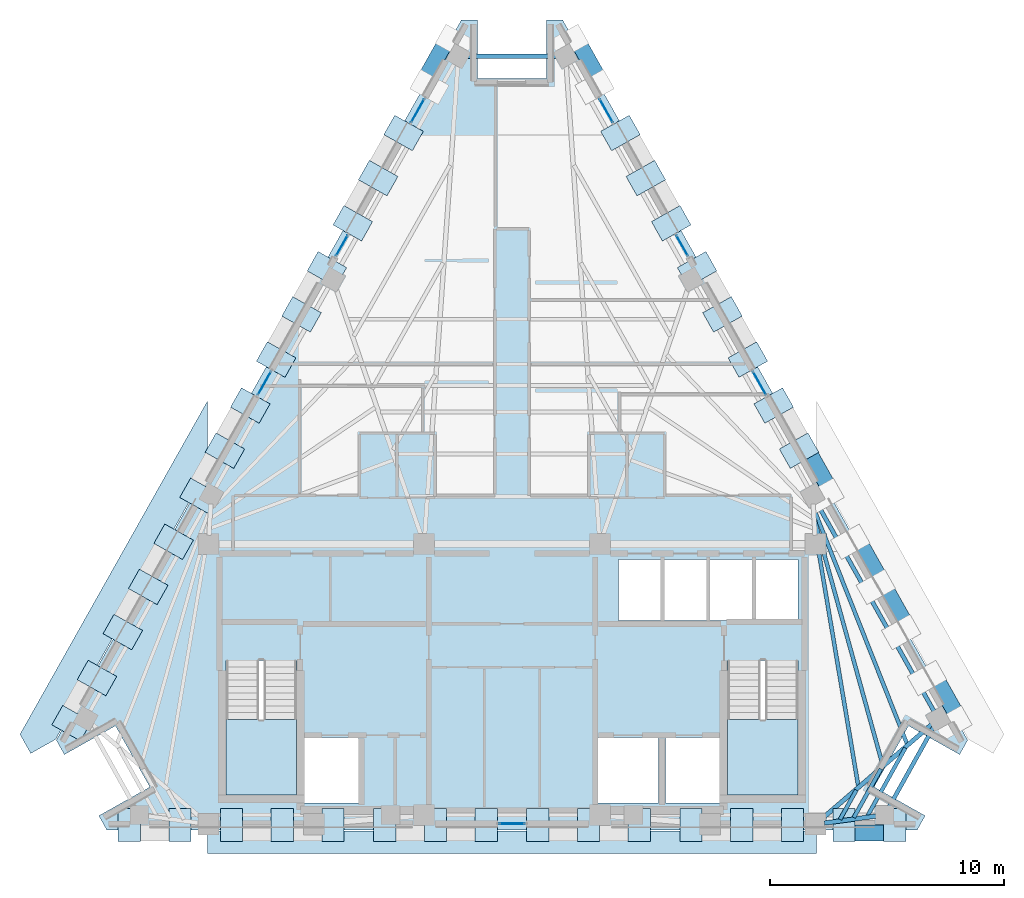
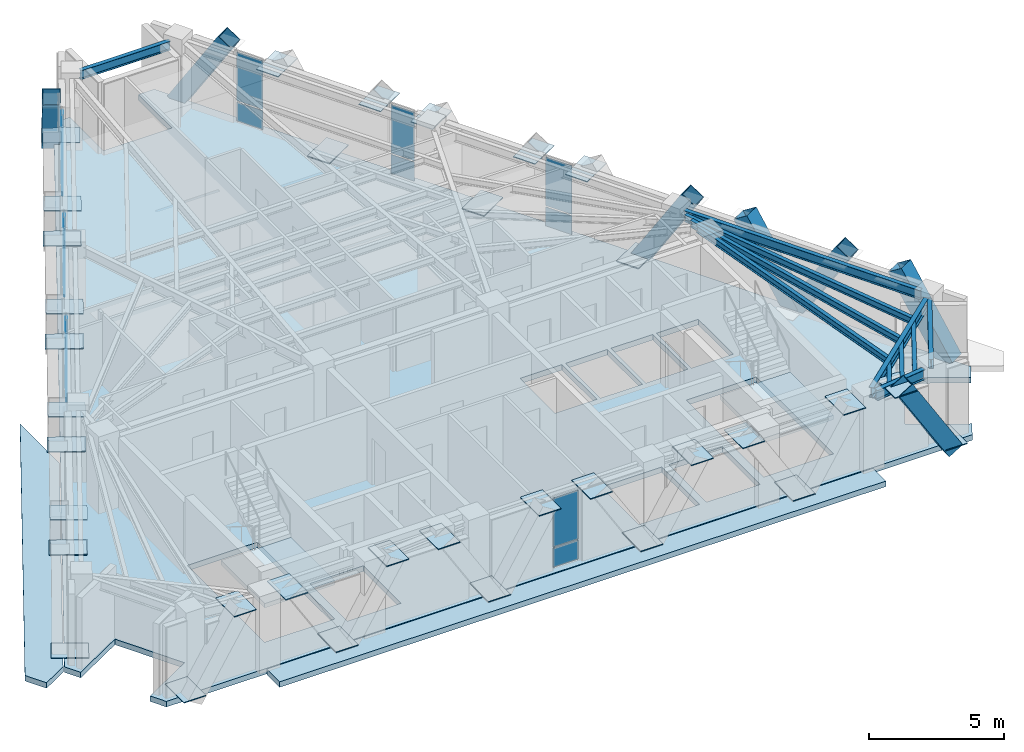
# One storey, part 4 of 9: 52 plates, 11 beams, 7 members, 5 slabs, 9 elements without a shape of their own.
"""IFC4 building model written with IfcOpenShell, lengths in metres."""

from ifc_helpers import new_model, si_unit, direction, frame, origin, origin_2d, place, context, subcontext, project, spatial, polyline, rectangle, hollow_rectangle, i_section, outline, extrude, material, layer, layer_set, material_profile, profile_set, type_object, element, aggregate, save


model = new_model("IFC4")

# Units and contexts
model_context = context("Model", 3, precision=1e-05, world=origin(), true_north=direction((0.0, 1.0)))
body_context = subcontext(model_context, "Body", "Model", "MODEL_VIEW")
ifc_project = project(units=[si_unit("LENGTHUNIT", "METRE"), si_unit("AREAUNIT", "SQUARE_METRE"), si_unit("VOLUMEUNIT", "CUBIC_METRE"), si_unit("PLANEANGLEUNIT", "RADIAN"), si_unit("MASSUNIT", "GRAM", prefix="KILO")], contexts=[model_context])

# Site, building, storey
site_placement = place(None, origin())
site = spatial("IfcSite", under=ifc_project, at=site_placement, CompositionType="ELEMENT")
building_placement = place(site_placement, origin())
building = spatial("IfcBuilding", under=site, at=building_placement, Name="Quenlor Broadcast Tower", CompositionType="ELEMENT")
storey_placement = place(building_placement, frame((0.0, 0.0, 228.89990234375)))
storey = spatial("IfcBuildingStorey", under=building, at=storey_placement, Name="L63", CompositionType="ELEMENT", Elevation=228.89990234375)

# Members
ifc_material_1 = material(Name="Steel S355", Category="steel")
ifc_material_profile_1 = material_profile(ifc_material_1, hollow_rectangle(XDim=0.679931640625, YDim=0.679931640625, WallThickness=0.02001953125, at=origin_2d()))
ifc_profile_set_1 = profile_set([ifc_material_profile_1], Name="Steel S355 RHS680x680x20")
member_type = type_object("IfcMemberType", Name="Perimeter Diagonal Lattice Brace Z5-Crown Steel S355 RHS680x20", PredefinedType="BRACE", material=ifc_profile_set_1)
member_placement = place(storey_placement, frame((16.31689453125, -17.1201171875, -0.119873046875), z_axis=(-0.523616565236, 0.0, 0.85195404372), x_axis=(0.0, -1.0, 0.0)))
element("IfcMember", 1, at=member_placement, inside=storey, type_object=member_type, Name="L63 Perimeter Diamond Lattice S-C1S", PredefinedType="BRACE", context=body_context, shape_type="SweptSolid", body=[
    extrude(hollow_rectangle(XDim=0.679931640625, YDim=0.679931640625, WallThickness=0.02001953125, at=origin_2d()), origin(), (0.0, 0.0, 1.0), 4.108154296875),
])
for number, where, z_axis, x_axis, name in (
    (2, (2.73681640625, 16.779296875, -0.119873046875), (0.260618804175, -0.463276364439, 0.847025884529), (0.8715547569, 0.490298180422, 0.0), "L63 Perimeter Diamond Lattice NE-C1S"),
    (3, (12.5458984375, -0.6591796875, -0.119873046875), (0.260618804175, -0.463276364439, 0.847025884529), (0.8715547569, 0.490298180422, 0.0), "L63 Perimeter Diamond Lattice NE-C4S"),
    (4, (15.802490234375, -6.44873046875, -0.119873046875), (-0.260563732169, 0.463283497491, 0.847038926161), (-0.871602253711, -0.49021374045, 0.0), "L63 Perimeter Diamond Lattice NE-C4B"),
    (5, (15.815673828125, -6.471923828125, -0.119873046875), (0.260618804175, -0.463276364439, 0.847025884529), (0.8715547569, 0.490298180422, 0.0), "L63 Perimeter Diamond Lattice NE-C5S"),
    (6, (19.072265625, -12.261474609375, -0.119873046875), (-0.260563732169, 0.463283497491, 0.847038926161), (-0.871602253711, -0.49021374045, 0.0), "L63 Perimeter Diamond Lattice NE-C5B"),
    (7, (-2.73681640625, 16.779296875, -0.119873046875), (-0.260618804175, -0.463276364439, 0.847025884529), (0.8715547569, -0.490298180422, 0.0), "L63 Perimeter Diamond Lattice NW-C5B"),
):
    element("IfcMember", number, at=place(storey_placement, frame(where, z_axis=z_axis, x_axis=x_axis)), inside=storey, type_object=member_type, Name=name, PredefinedType="BRACE", context=body_context, shape_type="SweptSolid", body=[
        extrude(hollow_rectangle(XDim=0.679931640625, YDim=0.679931640625, WallThickness=0.02001953125, at=origin_2d()), origin(), (0.0, 0.0, 1.0), 4.132080078125),
    ])

# Beams
ifc_material_2 = material(Name="Steel S355", Category="steel")
ifc_material_profile_2 = material_profile(ifc_material_2, i_section(OverallWidth=0.177978515625, OverallDepth=0.406494140625, WebThickness=0.0078125, FlangeThickness=0.0126953125, FilletRadius=0.011474609375, at=origin_2d()))
ifc_profile_set_2 = profile_set([ifc_material_profile_2], Name="Steel S355 410UB59.7")
beam_type_1 = type_object("IfcBeamType", Name="Perimeter Spandrel Beam Z5 Steel S355 410UB59.7", PredefinedType="SPANDREL", material=ifc_profile_set_2)
beam_1_placement = place(storey_placement, frame((16.07275390625, -16.035400390625, 3.046875), z_axis=(0.486800618374, 0.873513112638, 0.0), x_axis=(-0.873513112638, 0.486800618374, 0.0)))
element("IfcBeam", 8, at=beam_1_placement, inside=storey, type_object=beam_type_1, Name="L63 Spandrel Beam S4-NE1", PredefinedType="SPANDREL", context=body_context, shape_type="SweptSolid", body=[
    extrude(i_section(OverallWidth=0.177978515625, OverallDepth=0.406494140625, WebThickness=0.0078125, FlangeThickness=0.0126953125, FilletRadius=0.011474609375, at=origin_2d()), origin(), (0.0, 0.0, 1.0), 3.9736328125),
])
beam_2_placement = place(storey_placement, frame((18.005859375, -11.93603515625, 3.046875), z_axis=(-0.490274867878, 0.871567871096, 0.0), x_axis=(-0.871567871096, -0.490274867878, 0.0)))
element("IfcBeam", 9, at=beam_2_placement, inside=storey, type_object=beam_type_1, Name="L63 Spandrel Beam NE1-NE2", PredefinedType="SPANDREL", context=body_context, shape_type="SweptSolid", body=[
    extrude(i_section(OverallWidth=0.177978515625, OverallDepth=0.406494140625, WebThickness=0.0078125, FlangeThickness=0.0126953125, FilletRadius=0.011474609375, at=origin_2d()), origin(), (0.0, 0.0, 1.0), 10.206298828125),
])
beam_3_placement = place(storey_placement, frame((1.9248046875, 16.012451171875, 3.046875), z_axis=(-1.0, 0.0, 0.0), x_axis=(0.0, -1.0, 0.0)))
element("IfcBeam", 10, at=beam_3_placement, inside=storey, type_object=beam_type_1, Name="L63 Spandrel Beam NE4-NW1", PredefinedType="SPANDREL", context=body_context, shape_type="SweptSolid", body=[
    extrude(i_section(OverallWidth=0.177978515625, OverallDepth=0.406494140625, WebThickness=0.0078125, FlangeThickness=0.0126953125, FilletRadius=0.011474609375, at=origin_2d()), origin(), (0.0, 0.0, 1.0), 3.849609375),
])
ifc_material_3 = material(Name="Steel S355", Category="steel")
ifc_material_profile_3 = material_profile(ifc_material_3, i_section(OverallWidth=0.166015625, OverallDepth=0.30712890625, WebThickness=0.006591796875, FlangeThickness=0.01171875, FilletRadius=0.011474609375, at=origin_2d()))
ifc_profile_set_3 = profile_set([ifc_material_profile_3], Name="Steel S355 310UB46.2")
beam_type_2 = type_object("IfcBeamType", Name="Tower Composite Joist Z4-Z5 Steel S355 310UB46.2", PredefinedType="JOIST", material=ifc_profile_set_3)
beam_4_placement = place(storey_placement, frame((14.76806640625, -15.09619140625, 3.096435546875), z_axis=(-0.166553293246, 0.986032454085, 0.0), x_axis=(-0.986032454085, -0.166553293246, 0.0)))
element("IfcBeam", 11, at=beam_4_placement, inside=storey, type_object=beam_type_2, Name="L63 Secondary Composite Joist 16", PredefinedType="JOIST", context=body_context, shape_type="SweptSolid", body=[
    extrude(i_section(OverallWidth=0.166015625, OverallDepth=0.30712890625, WebThickness=0.006591796875, FlangeThickness=0.01171875, FilletRadius=0.011474609375, at=origin_2d()), origin(), (0.0, 0.0, 1.0), 11.097900390625),
])
beam_5_placement = place(storey_placement, frame((15.806396484375, -14.197998046875, 3.096435546875), z_axis=(-0.26744552871, 0.96357298072, 0.0), x_axis=(-0.96357298072, -0.26744552871, 0.0)))
element("IfcBeam", 12, at=beam_5_placement, inside=storey, type_object=beam_type_2, Name="L63 Secondary Composite Joist 17", PredefinedType="JOIST", context=body_context, shape_type="SweptSolid", body=[
    extrude(i_section(OverallWidth=0.166015625, OverallDepth=0.30712890625, WebThickness=0.006591796875, FlangeThickness=0.01171875, FilletRadius=0.011474609375, at=origin_2d()), origin(), (0.0, 0.0, 1.0), 10.856689453125),
])
beam_6_placement = place(storey_placement, frame((16.8447265625, -13.300537109375, 3.096435546875), z_axis=(-0.368680258049, 0.929556274426, 0.0), x_axis=(-0.929556274426, -0.368680258049, 0.0)))
element("IfcBeam", 13, at=beam_6_placement, inside=storey, type_object=beam_type_2, Name="L63 Secondary Composite Joist 18", PredefinedType="JOIST", context=body_context, shape_type="SweptSolid", body=[
    extrude(i_section(OverallWidth=0.166015625, OverallDepth=0.30712890625, WebThickness=0.006591796875, FlangeThickness=0.01171875, FilletRadius=0.011474609375, at=origin_2d()), origin(), (0.0, 0.0, 1.0), 10.737548828125),
])
beam_7_placement = place(storey_placement, frame((13.9912109375, -16.544189453125, 3.096435546875), z_axis=(0.486624304452, 0.873611347406, 0.0), x_axis=(-0.873611347406, 0.486624304452, 0.0)))
element("IfcBeam", 14, at=beam_7_placement, inside=storey, type_object=beam_type_2, Name="L63 Secondary Composite Joist 22", PredefinedType="JOIST", context=body_context, shape_type="SweptSolid", body=[
    extrude(i_section(OverallWidth=0.166015625, OverallDepth=0.30712890625, WebThickness=0.006591796875, FlangeThickness=0.01171875, FilletRadius=0.011474609375, at=origin_2d()), origin(), (0.0, 0.0, 1.0), 1.435791015625),
])
beam_8_placement = place(storey_placement, frame((14.58056640625, -16.464111328125, 3.096435546875), z_axis=(0.486820963037, 0.873501774439, 0.0), x_axis=(-0.873501774439, 0.486820963037, 0.0)))
element("IfcBeam", 15, at=beam_8_placement, inside=storey, type_object=beam_type_2, Name="L63 Secondary Composite Joist 23", PredefinedType="JOIST", context=body_context, shape_type="SweptSolid", body=[
    extrude(i_section(OverallWidth=0.166015625, OverallDepth=0.30712890625, WebThickness=0.006591796875, FlangeThickness=0.01171875, FilletRadius=0.011474609375, at=origin_2d()), origin(), (0.0, 0.0, 1.0), 2.37451171875),
])
beam_9_placement = place(storey_placement, frame((15.170166015625, -16.384033203125, 3.096435546875), z_axis=(0.486762404011, 0.873534408046, 0.0), x_axis=(-0.873534408046, 0.486762404011, 0.0)))
element("IfcBeam", 16, at=beam_9_placement, inside=storey, type_object=beam_type_2, Name="L63 Secondary Composite Joist 24", PredefinedType="JOIST", context=body_context, shape_type="SweptSolid", body=[
    extrude(i_section(OverallWidth=0.166015625, OverallDepth=0.30712890625, WebThickness=0.006591796875, FlangeThickness=0.01171875, FilletRadius=0.011474609375, at=origin_2d()), origin(), (0.0, 0.0, 1.0), 3.313232421875),
])
ifc_material_4 = material(Name="Steel S355", Category="steel")
ifc_material_profile_4 = material_profile(ifc_material_4, i_section(OverallWidth=0.19091796875, OverallDepth=0.46044921875, WebThickness=0.010009765625, FlangeThickness=0.01611328125, FilletRadius=0.011474609375, at=origin_2d()))
ifc_profile_set_4 = profile_set([ifc_material_profile_4], Name="Steel S355 460UB82.1")
beam_type_3 = type_object("IfcBeamType", Name="Tower Primary Floor Beam Z5 Steel S355 460UB82.1", PredefinedType="BEAM", material=ifc_profile_set_4)
beam_10_placement = place(storey_placement, frame((15.541015625, -16.3984375, 3.02001953125), z_axis=(-0.990917044125, -0.134474576267, 0.0), x_axis=(0.134474576267, -0.990917044125, 0.0)))
element("IfcBeam", 17, at=beam_10_placement, inside=storey, type_object=beam_type_3, Name="L63 Primary Radial Beam S4", PredefinedType="BEAM", context=body_context, shape_type="SweptSolid", body=[
    extrude(i_section(OverallWidth=0.19091796875, OverallDepth=0.46044921875, WebThickness=0.010009765625, FlangeThickness=0.01611328125, FilletRadius=0.011474609375, at=origin_2d()), origin(), (0.0, 0.0, 1.0), 2.23486328125),
])
beam_11_placement = place(storey_placement, frame((17.909423828125, -12.484619140625, 3.02001953125), z_axis=(-0.75817030855, -0.652056579779, 0.0), x_axis=(0.652056579779, -0.75817030855, 0.0)))
element("IfcBeam", 18, at=beam_11_placement, inside=storey, type_object=beam_type_3, Name="L63 Primary Radial Beam NE1", PredefinedType="BEAM", context=body_context, shape_type="SweptSolid", body=[
    extrude(i_section(OverallWidth=0.19091796875, OverallDepth=0.46044921875, WebThickness=0.010009765625, FlangeThickness=0.01611328125, FilletRadius=0.011474609375, at=origin_2d()), origin(), (0.0, 0.0, 1.0), 6.161376953125),
])

# Curtain wall, plates
ifc_material_5 = material(Name="Architectural Terracotta and Low-E Glazing", Category="masonry")
curtain_wall_type = type_object("IfcCurtainWallType", Name="Unitised Terracotta Curtain Wall System Z5", PredefinedType="NOTDEFINED", material=ifc_material_5)
curtain_wall_1_placement = place(storey_placement, origin())
curtain_wall_1 = element("IfcCurtainWall", 19, at=curtain_wall_1_placement, inside=storey, type_object=curtain_wall_type, Name="L63 Curtain Wall CW5 (L63-S-G1)", PredefinedType="NOTDEFINED")
ifc_material_6 = material(Name="Double Glazed Low-E Solar Glass", Category="glass")
ifc_layer_1 = layer(ifc_material_6, 0.02587890625)
ifc_layer_set_1 = layer_set([ifc_layer_1], Name="CW5 Double Glazed Vision Panel 26")
plate_type_1 = type_object("IfcPlateType", Name="CW5 Double Glazed Vision Panel 26", PredefinedType="CURTAIN_PANEL", material=ifc_layer_set_1)
plate_1_placement = place(storey_placement, frame((0.0, -16.72509765625, 0.065185546875), z_axis=(0.0, 0.0, 1.0), x_axis=(-1.0, 0.0, 0.0)))
plate_1 = element("IfcPlate", 20, at=plate_1_placement, type_object=plate_type_1, Name="CW5 panel 1.1", PredefinedType="CURTAIN_PANEL", context=body_context, shape_type="SweptSolid", body=[
    extrude(rectangle(XDim=1.082763671875, YDim=0.02587890625, at=origin_2d()), origin(), (0.0, 0.0, 1.0), 0.8525390625),
])
plate_2_placement = place(storey_placement, frame((0.0, -16.72509765625, 0.982421875), z_axis=(0.0, 0.0, 1.0), x_axis=(-1.0, 0.0, 0.0)))
plate_2 = element("IfcPlate", 21, at=plate_2_placement, type_object=plate_type_1, Name="CW5 panel 1.2", PredefinedType="CURTAIN_PANEL", context=body_context, shape_type="SweptSolid", body=[
    extrude(rectangle(XDim=1.082763671875, YDim=0.02587890625, at=origin_2d()), origin(), (0.0, 0.0, 1.0), 2.202392578125),
])
aggregate(curtain_wall_1, [plate_1, plate_2])

curtain_wall_2_placement = place(storey_placement, origin())
curtain_wall_2 = element("IfcCurtainWall", 22, at=curtain_wall_2_placement, inside=storey, type_object=curtain_wall_type, Name="L63 Curtain Wall CW5 (L63-NEA-G1)", PredefinedType="NOTDEFINED")
plate_3_placement = place(storey_placement, frame((4.02099609375, 13.69091796875, 0.065185546875), z_axis=(0.0, 0.0, 1.0), x_axis=(0.49029137745, -0.871558583916, 0.0)))
plate_3 = element("IfcPlate", 23, at=plate_3_placement, type_object=plate_type_1, Name="CW5 panel 1.1", PredefinedType="CURTAIN_PANEL", context=body_context, shape_type="SweptSolid", body=[
    extrude(rectangle(XDim=1.13037109375, YDim=0.02587890625, at=origin_2d()), origin(), (0.0, 0.0, 1.0), 0.8525390625),
])
plate_4_placement = place(storey_placement, frame((4.02099609375, 13.69091796875, 0.982421875), z_axis=(0.0, 0.0, 1.0), x_axis=(0.49029137745, -0.871558583916, 0.0)))
plate_4 = element("IfcPlate", 24, at=plate_4_placement, type_object=plate_type_1, Name="CW5 panel 1.2", PredefinedType="CURTAIN_PANEL", context=body_context, shape_type="SweptSolid", body=[
    extrude(rectangle(XDim=1.13037109375, YDim=0.02587890625, at=origin_2d()), origin(), (0.0, 0.0, 1.0), 2.202392578125),
])
aggregate(curtain_wall_2, [plate_3, plate_4])

curtain_wall_3_placement = place(storey_placement, origin())
curtain_wall_3 = element("IfcCurtainWall", 25, at=curtain_wall_3_placement, inside=storey, type_object=curtain_wall_type, Name="L63 Curtain Wall CW5 (L63-NEA-G2)", PredefinedType="NOTDEFINED")
plate_5_placement = place(storey_placement, frame((7.258056640625, 7.935791015625, 0.065185546875), z_axis=(0.0, 0.0, 1.0), x_axis=(0.490282293669, -0.871563693894, 0.0)))
plate_5 = element("IfcPlate", 26, at=plate_5_placement, type_object=plate_type_1, Name="CW5 panel 1.1", PredefinedType="CURTAIN_PANEL", context=body_context, shape_type="SweptSolid", body=[
    extrude(rectangle(XDim=0.99755859375, YDim=0.02587890625, at=origin_2d()), origin(), (0.0, 0.0, 1.0), 0.8525390625),
])
plate_6_placement = place(storey_placement, frame((7.258056640625, 7.935791015625, 0.982421875), z_axis=(0.0, 0.0, 1.0), x_axis=(0.490282293669, -0.871563693894, 0.0)))
plate_6 = element("IfcPlate", 27, at=plate_6_placement, type_object=plate_type_1, Name="CW5 panel 1.2", PredefinedType="CURTAIN_PANEL", context=body_context, shape_type="SweptSolid", body=[
    extrude(rectangle(XDim=0.99755859375, YDim=0.02587890625, at=origin_2d()), origin(), (0.0, 0.0, 1.0), 2.202392578125),
])
aggregate(curtain_wall_3, [plate_5, plate_6])

curtain_wall_4_placement = place(storey_placement, origin())
curtain_wall_4 = element("IfcCurtainWall", 28, at=curtain_wall_4_placement, inside=storey, type_object=curtain_wall_type, Name="L63 Curtain Wall CW5 (L63-NE-G1)", PredefinedType="NOTDEFINED")
plate_7_placement = place(storey_placement, frame((10.560302734375, 2.065185546875, 0.065185546875), z_axis=(0.0, 0.0, 1.0), x_axis=(0.490231100048, -0.871592489955, 0.0)))
plate_7 = element("IfcPlate", 29, at=plate_7_placement, type_object=plate_type_1, Name="CW5 panel 1.1", PredefinedType="CURTAIN_PANEL", context=body_context, shape_type="SweptSolid", body=[
    extrude(rectangle(XDim=1.130126953125, YDim=0.02587890625, at=origin_2d()), origin(), (0.0, 0.0, 1.0), 0.8525390625),
])
plate_8_placement = place(storey_placement, frame((10.560302734375, 2.065185546875, 0.982421875), z_axis=(0.0, 0.0, 1.0), x_axis=(0.490231100048, -0.871592489955, 0.0)))
plate_8 = element("IfcPlate", 30, at=plate_8_placement, type_object=plate_type_1, Name="CW5 panel 1.2", PredefinedType="CURTAIN_PANEL", context=body_context, shape_type="SweptSolid", body=[
    extrude(rectangle(XDim=1.130126953125, YDim=0.02587890625, at=origin_2d()), origin(), (0.0, 0.0, 1.0), 2.202392578125),
])
aggregate(curtain_wall_4, [plate_7, plate_8])

curtain_wall_5_placement = place(storey_placement, origin())
curtain_wall_5 = element("IfcCurtainWall", 31, at=curtain_wall_5_placement, inside=storey, type_object=curtain_wall_type, Name="L63 Curtain Wall CW5 (L63-NWC-G1)", PredefinedType="NOTDEFINED")
plate_9_placement = place(storey_placement, frame((-7.258056640625, 7.935791015625, 0.065185546875), z_axis=(0.0, 0.0, 1.0), x_axis=(0.490282293669, 0.871563693894, 0.0)))
plate_9 = element("IfcPlate", 32, at=plate_9_placement, type_object=plate_type_1, Name="CW5 panel 1.1", PredefinedType="CURTAIN_PANEL", context=body_context, shape_type="SweptSolid", body=[
    extrude(rectangle(XDim=0.99755859375, YDim=0.02587890625, at=origin_2d()), origin(), (0.0, 0.0, 1.0), 0.8525390625),
])
plate_10_placement = place(storey_placement, frame((-7.258056640625, 7.935791015625, 0.982421875), z_axis=(0.0, 0.0, 1.0), x_axis=(0.490282293669, 0.871563693894, 0.0)))
plate_10 = element("IfcPlate", 33, at=plate_10_placement, type_object=plate_type_1, Name="CW5 panel 1.2", PredefinedType="CURTAIN_PANEL", context=body_context, shape_type="SweptSolid", body=[
    extrude(rectangle(XDim=0.99755859375, YDim=0.02587890625, at=origin_2d()), origin(), (0.0, 0.0, 1.0), 2.202392578125),
])
aggregate(curtain_wall_5, [plate_9, plate_10])

curtain_wall_6_placement = place(storey_placement, origin())
curtain_wall_6 = element("IfcCurtainWall", 34, at=curtain_wall_6_placement, inside=storey, type_object=curtain_wall_type, Name="L63 Curtain Wall CW5 (L63-NWC-G2)", PredefinedType="NOTDEFINED")
plate_11_placement = place(storey_placement, frame((-4.02099609375, 13.69091796875, 0.065185546875), z_axis=(0.0, 0.0, 1.0), x_axis=(0.49029137745, 0.871558583916, 0.0)))
plate_11 = element("IfcPlate", 35, at=plate_11_placement, type_object=plate_type_1, Name="CW5 panel 1.1", PredefinedType="CURTAIN_PANEL", context=body_context, shape_type="SweptSolid", body=[
    extrude(rectangle(XDim=1.13037109375, YDim=0.02587890625, at=origin_2d()), origin(), (0.0, 0.0, 1.0), 0.8525390625),
])
plate_12_placement = place(storey_placement, frame((-4.02099609375, 13.69091796875, 0.982421875), z_axis=(0.0, 0.0, 1.0), x_axis=(0.49029137745, 0.871558583916, 0.0)))
plate_12 = element("IfcPlate", 36, at=plate_12_placement, type_object=plate_type_1, Name="CW5 panel 1.2", PredefinedType="CURTAIN_PANEL", context=body_context, shape_type="SweptSolid", body=[
    extrude(rectangle(XDim=1.13037109375, YDim=0.02587890625, at=origin_2d()), origin(), (0.0, 0.0, 1.0), 2.202392578125),
])
aggregate(curtain_wall_6, [plate_11, plate_12])

curtain_wall_7_placement = place(storey_placement, origin())
curtain_wall_7 = element("IfcCurtainWall", 37, at=curtain_wall_7_placement, inside=storey, type_object=curtain_wall_type, Name="L63 Curtain Wall CW5 (L63-NW-G1)", PredefinedType="NOTDEFINED")
plate_13_placement = place(storey_placement, frame((-10.560302734375, 2.065185546875, 0.065185546875), z_axis=(0.0, 0.0, 1.0), x_axis=(0.490231100048, 0.871592489955, 0.0)))
plate_13 = element("IfcPlate", 38, at=plate_13_placement, type_object=plate_type_1, Name="CW5 panel 1.1", PredefinedType="CURTAIN_PANEL", context=body_context, shape_type="SweptSolid", body=[
    extrude(rectangle(XDim=1.130126953125, YDim=0.02587890625, at=origin_2d()), origin(), (0.0, 0.0, 1.0), 0.8525390625),
])
plate_14_placement = place(storey_placement, frame((-10.560302734375, 2.065185546875, 0.982421875), z_axis=(0.0, 0.0, 1.0), x_axis=(0.490231100048, 0.871592489955, 0.0)))
plate_14 = element("IfcPlate", 39, at=plate_14_placement, type_object=plate_type_1, Name="CW5 panel 1.2", PredefinedType="CURTAIN_PANEL", context=body_context, shape_type="SweptSolid", body=[
    extrude(rectangle(XDim=1.130126953125, YDim=0.02587890625, at=origin_2d()), origin(), (0.0, 0.0, 1.0), 2.202392578125),
])
aggregate(curtain_wall_7, [plate_13, plate_14])

# Stair, slab
ifc_material_7 = material(Name="Precast concrete C40/50", Category="concrete")
stair_type = type_object("IfcStairType", Name="Precast Concrete C40/50 Dogleg Stair H350", PredefinedType="HALF_TURN_STAIR", material=ifc_material_7)
stair_1_placement = place(storey_placement, origin())
stair_1 = element("IfcStair", 40, at=stair_1_placement, inside=storey, type_object=stair_type, Name="L63 West Core Fire-Isolated Exit Stair ST-1", PredefinedType="HALF_TURN_STAIR")
ifc_material_8 = material(Name="Precast concrete C40/50", Category="concrete")
ifc_layer_2 = layer(ifc_material_8, 0.199951171875)
ifc_layer_set_2 = layer_set([ifc_layer_2], Name="Precast Concrete C40/50 Stair Landing Slab 200")
slab_type_1 = type_object("IfcSlabType", Name="Precast Concrete C40/50 Stair Landing Slab 200", PredefinedType="LANDING", material=ifc_layer_set_2)
slab_1_placement = place(storey_placement, frame((0.0, 0.0, 1.550048828125)))
slab_1 = element("IfcSlab", 41, at=slab_1_placement, type_object=slab_type_1, Name="ST-1 landing 1", PredefinedType="LANDING", context=body_context, shape_type="SweptSolid", body=[
    extrude(outline(polyline([(-12.199951171875, -12.27001953125), (-12.199951171875, -15.5), (-9.199951171875, -15.5), (-9.199951171875, -12.27001953125), (-12.199951171875, -12.27001953125)])), origin(), (0.0, 0.0, 1.0), 0.199951171875),
])
aggregate(stair_1, [slab_1])

stair_2_placement = place(storey_placement, origin())
stair_2 = element("IfcStair", 42, at=stair_2_placement, inside=storey, type_object=stair_type, Name="L63 East Core Fire-Isolated Exit Stair ST-2", PredefinedType="HALF_TURN_STAIR")
slab_2_placement = place(storey_placement, frame((0.0, 0.0, 1.550048828125)))
slab_2 = element("IfcSlab", 43, at=slab_2_placement, type_object=slab_type_1, Name="ST-2 landing 1", PredefinedType="LANDING", context=body_context, shape_type="SweptSolid", body=[
    extrude(outline(polyline([(9.199951171875, -12.27001953125), (9.199951171875, -15.5), (12.199951171875, -15.5), (12.199951171875, -12.27001953125), (9.199951171875, -12.27001953125)])), origin(), (0.0, 0.0, 1.0), 0.199951171875),
])
aggregate(stair_2, [slab_2])

# Slabs
ifc_material_9 = material(Name="Concrete C40/50", Category="concrete")
ifc_layer_3 = layer(ifc_material_9, 0.25)
ifc_layer_set_3 = layer_set([ifc_layer_3], Name="Tower Composite Concrete C40/50 Slab 250")
slab_type_2 = type_object("IfcSlabType", Name="Tower Composite Concrete C40/50 Slab 250", PredefinedType="FLOOR", material=ifc_layer_set_3)
slab_3_placement = place(storey_placement, frame((0.0, 0.0, -0.25)))
element("IfcSlab", 44, at=slab_3_placement, inside=storey, type_object=slab_type_2, Name="L63 Structural Floor Slab", PredefinedType="FLOOR", context=body_context, shape_type="SweptSolid", body=[
    extrude(outline(polyline([(17.280029296875, -17.0), (17.62548828125, -16.385498046875), (15.44677734375, -15.159912109375), (16.91552734375, -12.548583984375), (19.094482421875, -13.7744140625), (19.43994140625, -13.159912109375), (2.159912109375, 17.56005859375), (1.46875, 17.56005859375), (1.46875, 15.06005859375), (-1.46875, 15.06005859375), (-1.46875, 17.56005859375), (-2.159912109375, 17.56005859375), (-19.43994140625, -13.159912109375), (-19.094482421875, -13.7744140625), (-16.91552734375, -12.548583984375), (-15.44677734375, -15.159912109375), (-17.62548828125, -16.385498046875), (-17.280029296875, -17.0), (17.280029296875, -17.0)]), holes=[polyline([(-12.199951171875, -9.758056640625), (-12.199951171875, -15.5), (-9.199951171875, -15.5), (-9.199951171875, -9.758056640625), (-12.199951171875, -9.758056640625)]), polyline([(9.199951171875, -9.758056640625), (9.199951171875, -15.5), (12.199951171875, -15.5), (12.199951171875, -9.758056640625), (9.199951171875, -9.758056640625)]), polyline([(4.550048828125, -8.050048828125), (6.35009765625, -8.050048828125), (6.35009765625, -5.449951171875), (4.550048828125, -5.449951171875), (4.550048828125, -8.050048828125)]), polyline([(6.5, -8.050048828125), (8.300048828125, -8.050048828125), (8.300048828125, -5.449951171875), (6.5, -5.449951171875), (6.5, -8.050048828125)]), polyline([(8.449951171875, -8.050048828125), (10.25, -8.050048828125), (10.25, -5.449951171875), (8.449951171875, -5.449951171875), (8.449951171875, -8.050048828125)]), polyline([(10.39990234375, -8.050048828125), (12.199951171875, -8.050048828125), (12.199951171875, -5.449951171875), (10.39990234375, -5.449951171875), (10.39990234375, -8.050048828125)]), polyline([(-8.85009765625, -15.85009765625), (-6.550048828125, -15.85009765625), (-6.550048828125, -13.050048828125), (-8.85009765625, -13.050048828125), (-8.85009765625, -15.85009765625)]), polyline([(6.550048828125, -15.85009765625), (8.85009765625, -15.85009765625), (8.85009765625, -13.050048828125), (6.550048828125, -13.050048828125), (6.550048828125, -15.85009765625)]), polyline([(3.64990234375, -15.85009765625), (6.25, -15.85009765625), (6.25, -13.050048828125), (3.64990234375, -13.050048828125), (3.64990234375, -15.85009765625)])]), origin(), (0.0, 0.0, 1.0), 0.25),
])
ifc_material_10 = material(Name="Concrete C40/50", Category="concrete")
ifc_layer_4 = layer(ifc_material_10, 0.25)
ifc_layer_set_4 = layer_set([ifc_layer_4], Name="Tower Setback Weatherproof Concrete C40/50 Roof Slab 250")
slab_type_3 = type_object("IfcSlabType", Name="Tower Setback Weatherproof Concrete C40/50 Roof Slab 250", PredefinedType="ROOF", material=ifc_layer_set_4)
slab_4_placement = place(storey_placement, frame((0.0, 0.0, -0.25)))
element("IfcSlab", 45, at=slab_4_placement, inside=storey, type_object=slab_type_3, Name="L63 Setback Weatherproof Roof Slab 1", PredefinedType="ROOF", context=body_context, shape_type="SweptSolid", body=[
    extrude(outline(polyline([(-20.988037109375, -12.912109375), (-13.0, 1.288818359375), (-13.0, -1.62939453125), (-19.468505859375, -13.12890625), (-20.530029296875, -13.72607421875), (-20.988037109375, -12.912109375)])), origin(), (0.0, 0.0, 1.0), 0.25),
])
slab_5_placement = place(storey_placement, frame((0.0, 0.0, -0.25)))
element("IfcSlab", 46, at=slab_5_placement, inside=storey, type_object=slab_type_3, Name="L63 Setback Weatherproof Roof Slab 3", PredefinedType="ROOF", context=body_context, shape_type="SweptSolid", body=[
    extrude(outline(polyline([(-13.0, -18.0), (-13.0, -17.0400390625), (13.0, -17.0400390625), (13.0, -18.0), (-13.0, -18.0)])), origin(), (0.0, 0.0, 1.0), 0.25),
])

# Plates
ifc_material_11 = material(Name="Steel S355", Category="steel")
ifc_layer_5 = layer(ifc_material_11, 0.035888671875)
ifc_layer_set_5 = layer_set([ifc_layer_5], Name="Transfer Truss Steel S355 Gusset Node Plate 1400x950x36")
plate_type_2 = type_object("IfcPlateType", Name="Transfer Truss Steel S355 Gusset Node Plate 1400x950x36", PredefinedType="SHEET", material=ifc_layer_set_5)
for number, where, z_axis, x_axis, name in (
    (47, (16.330078125, -16.784912109375, 0.0419921875), (0.0, 0.0, 1.0), (0.0, -1.0, 0.0), "L63 Lattice Tie Gusset Node S-B0"),
    (48, (14.165771484375, -16.784912109375, 3.18212890625), (0.0, 0.0, 1.0), (0.0, -1.0, 0.0), "L63 Lattice Tie Gusset Node S-T1"),
    (49, (9.798095703125, -16.784912109375, 0.0419921875), (0.0, 0.0, 1.0), (0.0, -1.0, 0.0), "L63 Lattice Tie Gusset Node S-B3"),
    (50, (11.96240234375, -16.784912109375, 3.18212890625), (0.0, 0.0, 1.0), (0.0, -1.0, 0.0), "L63 Lattice Tie Gusset Node S-T2"),
    (51, (7.6337890625, -16.784912109375, 3.18212890625), (0.0, 0.0, 1.0), (0.0, -1.0, 0.0), "L63 Lattice Tie Gusset Node S-T4"),
    (52, (3.26611328125, -16.784912109375, 0.0419921875), (0.0, 0.0, 1.0), (0.0, -1.0, 0.0), "L63 Lattice Tie Gusset Node S-B6"),
    (53, (5.430419921875, -16.784912109375, 3.18212890625), (0.0, 0.0, 1.0), (0.0, -1.0, 0.0), "L63 Lattice Tie Gusset Node S-T5"),
    (54, (1.101806640625, -16.784912109375, 3.18212890625), (0.0, 0.0, 1.0), (0.0, -1.0, 0.0), "L63 Lattice Tie Gusset Node S-T7"),
    (55, (-3.26611328125, -16.784912109375, 0.0419921875), (0.0, 0.0, 1.0), (0.0, -1.0, 0.0), "L63 Lattice Tie Gusset Node S-B9"),
    (56, (-1.101806640625, -16.784912109375, 3.18212890625), (0.0, 0.0, 1.0), (0.0, -1.0, 0.0), "L63 Lattice Tie Gusset Node S-T8"),
    (57, (-5.430419921875, -16.784912109375, 3.18212890625), (0.0, 0.0, 1.0), (0.0, -1.0, 0.0), "L63 Lattice Tie Gusset Node S-T10"),
    (58, (-9.798095703125, -16.784912109375, 0.0419921875), (0.0, 0.0, 1.0), (0.0, -1.0, 0.0), "L63 Lattice Tie Gusset Node S-B12"),
    (59, (-7.6337890625, -16.784912109375, 3.18212890625), (0.0, 0.0, 1.0), (0.0, -1.0, 0.0), "L63 Lattice Tie Gusset Node S-T11"),
    (60, (-11.96240234375, -16.784912109375, 3.18212890625), (0.0, 0.0, 1.0), (0.0, -1.0, 0.0), "L63 Lattice Tie Gusset Node S-T13"),
    (61, (-16.330078125, -16.784912109375, 0.0419921875), (0.0, 0.0, 1.0), (0.0, -1.0, 0.0), "L63 Lattice Tie Gusset Node S-B15"),
    (62, (-14.165771484375, -16.784912109375, 3.18212890625), (0.0, 0.0, 1.0), (0.0, -1.0, 0.0), "L63 Lattice Tie Gusset Node S-T14"),
    (63, (5.7080078125, 10.813720703125, 0.0419921875), (0.0, 0.0, 1.0), (0.871556314255, 0.490295412055, 0.0), "L63 Lattice Tie Gusset Node NE-B3"),
    (64, (4.624755859375, 12.73974609375, 3.18212890625), (0.0, 0.0, 1.0), (0.871556314255, 0.490295412055, 0.0), "L63 Lattice Tie Gusset Node NE-T2"),
    (65, (6.79150390625, 8.8876953125, 3.18212890625), (0.0, 0.0, 1.0), (0.871556314255, 0.490295412055, 0.0), "L63 Lattice Tie Gusset Node NE-T4"),
    (66, (8.977783203125, 5.0009765625, 0.0419921875), (0.0, 0.0, 1.0), (0.871556314255, 0.490295412055, 0.0), "L63 Lattice Tie Gusset Node NE-B6"),
    (67, (7.894287109375, 6.927001953125, 3.18212890625), (0.0, 0.0, 1.0), (0.871556314255, 0.490295412055, 0.0), "L63 Lattice Tie Gusset Node NE-T5"),
    (68, (10.06103515625, 3.074951171875, 3.18212890625), (0.0, 0.0, 1.0), (0.871556314255, 0.490295412055, 0.0), "L63 Lattice Tie Gusset Node NE-T7"),
    (69, (12.247314453125, -0.811767578125, 0.0419921875), (0.0, 0.0, 1.0), (0.871556314255, 0.490295412055, 0.0), "L63 Lattice Tie Gusset Node NE-B9"),
    (70, (11.1640625, 1.1142578125, 3.18212890625), (0.0, 0.0, 1.0), (0.871556314255, 0.490295412055, 0.0), "L63 Lattice Tie Gusset Node NE-T8"),
    (71, (-18.786865234375, -12.4375, 0.0419921875), (0.0, 0.0, 1.0), (-0.871556314255, 0.490295412055, 0.0), "L63 Lattice Tie Gusset Node NW-B0"),
    (72, (-17.70361328125, -10.511474609375, 3.18212890625), (0.0, 0.0, 1.0), (-0.871556314255, 0.490295412055, 0.0), "L63 Lattice Tie Gusset Node NW-T1"),
    (73, (-15.51708984375, -6.62451171875, 0.0419921875), (0.0, 0.0, 1.0), (-0.871556314255, 0.490295412055, 0.0), "L63 Lattice Tie Gusset Node NW-B3"),
    (74, (-16.6005859375, -8.550537109375, 3.18212890625), (0.0, 0.0, 1.0), (-0.871556314255, 0.490295412055, 0.0), "L63 Lattice Tie Gusset Node NW-T2"),
    (75, (-14.433837890625, -4.698486328125, 3.18212890625), (0.0, 0.0, 1.0), (-0.871556314255, 0.490295412055, 0.0), "L63 Lattice Tie Gusset Node NW-T4"),
    (76, (-12.247314453125, -0.811767578125, 0.0419921875), (0.0, 0.0, 1.0), (-0.871556314255, 0.490295412055, 0.0), "L63 Lattice Tie Gusset Node NW-B6"),
    (77, (-13.330810546875, -2.73779296875, 3.18212890625), (0.0, 0.0, 1.0), (-0.871556314255, 0.490295412055, 0.0), "L63 Lattice Tie Gusset Node NW-T5"),
    (78, (-11.1640625, 1.1142578125, 3.18212890625), (0.0, 0.0, 1.0), (-0.871556314255, 0.490295412055, 0.0), "L63 Lattice Tie Gusset Node NW-T7"),
    (79, (-8.977783203125, 5.0009765625, 0.0419921875), (0.0, 0.0, 1.0), (-0.871556314255, 0.490295412055, 0.0), "L63 Lattice Tie Gusset Node NW-B9"),
    (80, (-10.06103515625, 3.074951171875, 3.18212890625), (0.0, 0.0, 1.0), (-0.871556314255, 0.490295412055, 0.0), "L63 Lattice Tie Gusset Node NW-T8"),
    (81, (-7.894287109375, 6.927001953125, 3.18212890625), (0.0, 0.0, 1.0), (-0.871556314255, 0.490295412055, 0.0), "L63 Lattice Tie Gusset Node NW-T10"),
    (82, (-5.7080078125, 10.813720703125, 0.0419921875), (0.0, 0.0, 1.0), (-0.871556314255, 0.490295412055, 0.0), "L63 Lattice Tie Gusset Node NW-B12"),
    (83, (-6.79150390625, 8.8876953125, 3.18212890625), (0.0, 0.0, 1.0), (-0.871556314255, 0.490295412055, 0.0), "L63 Lattice Tie Gusset Node NW-T11"),
    (84, (-4.624755859375, 12.73974609375, 3.18212890625), (0.0, 0.0, 1.0), (-0.871556314255, 0.490295412055, 0.0), "L63 Lattice Tie Gusset Node NW-T13"),
):
    element("IfcPlate", number, at=place(storey_placement, frame(where, z_axis=z_axis, x_axis=x_axis)), inside=storey, type_object=plate_type_2, Name=name, PredefinedType="SHEET", context=body_context, shape_type="SweptSolid", body=[
        extrude(rectangle(XDim=1.39990234375, YDim=0.949951171875, at=origin_2d()), origin(), (0.0, 0.0, 1.0), 0.035888671875),
    ])

save(model, "model.ifc")
